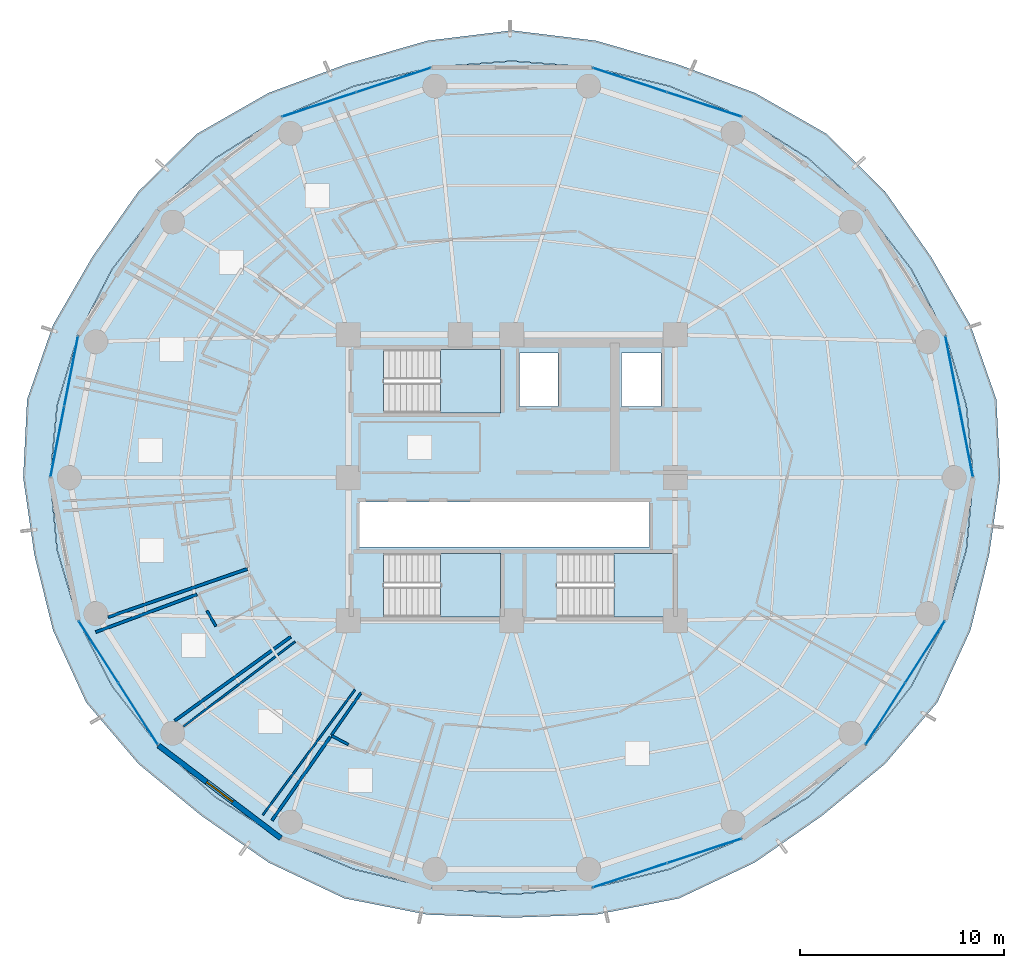
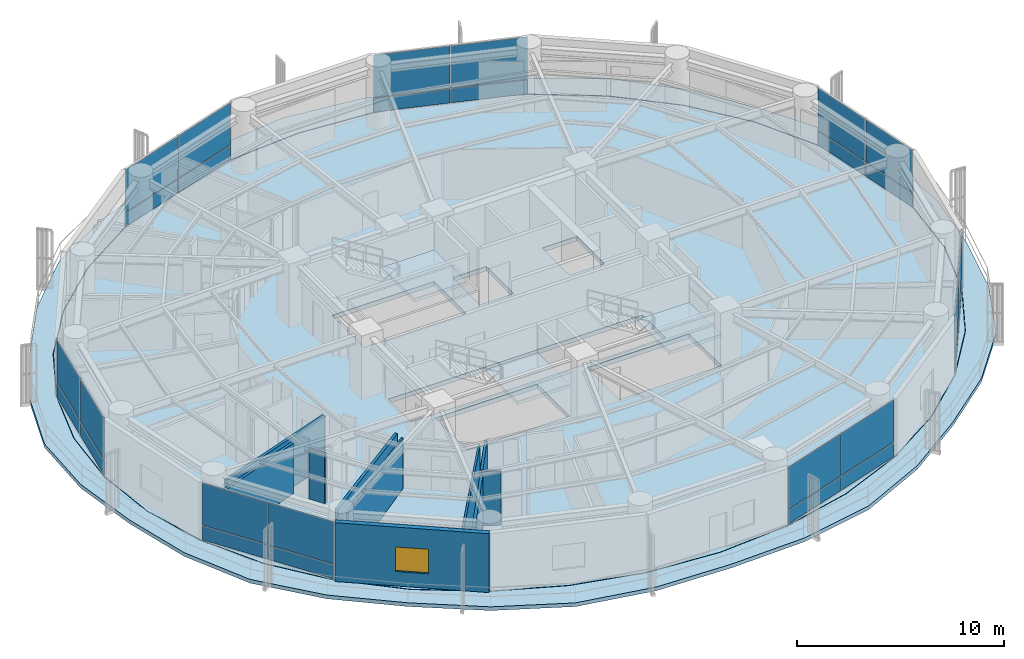
# One storey, part 20 of 28: 28 plates, 10 walls, 5 slabs, 1 window, 1 opening, 10 elements without a shape of their own.
"""IFC4 building model written with IfcOpenShell, lengths in metres."""

from ifc_helpers import new_model, si_unit, direction, frame, frame_2d, origin, origin_2d, place, context, subcontext, project, spatial, polyline, rectangle, outline, extrude, source, transform, mapped, material, layer, layer_set, type_object, element, fill, aggregate, save


model = new_model("IFC4")

# Units and contexts
model_context = context("Model", 3, precision=1e-05, world=origin(), true_north=direction((0.0, 1.0)))
body_context = subcontext(model_context, "Body", "Model", "MODEL_VIEW")
ifc_project = project(units=[si_unit("LENGTHUNIT", "METRE"), si_unit("AREAUNIT", "SQUARE_METRE"), si_unit("VOLUMEUNIT", "CUBIC_METRE"), si_unit("PLANEANGLEUNIT", "RADIAN"), si_unit("MASSUNIT", "GRAM", prefix="KILO")], contexts=[model_context])

# Site, building, storey
site_placement = place(None, origin())
site = spatial("IfcSite", under=ifc_project, at=site_placement, CompositionType="ELEMENT")
building_placement = place(site_placement, origin())
building = spatial("IfcBuilding", under=site, at=building_placement, Name="Kelanora Arch Commons", CompositionType="ELEMENT")
storey_placement = place(building_placement, frame((0.0, 0.0, 139.35009765625)))
storey = spatial("IfcBuildingStorey", under=building, at=storey_placement, Name="L35", CompositionType="ELEMENT", Elevation=139.35009765625)

# Stair, slab
ifc_material_1 = material(Name="Concrete C40/50", Category="concrete")
stair_type = type_object("IfcStairType", Name="STR-DL-375", PredefinedType="HALF_TURN_STAIR", material=ifc_material_1)
stair_1_placement = place(storey_placement, origin())
stair_1 = element("IfcStair", 1, at=stair_1_placement, inside=storey, type_object=stair_type, Name="L35 ST-T1", PredefinedType="HALF_TURN_STAIR")
ifc_layer_1 = layer(ifc_material_1, 0.199951171875)
ifc_layer_set_1 = layer_set([ifc_layer_1], Name="Concrete C40/50")
slab_type_1 = type_object("IfcSlabType", Name="SLB-STAIR-LND", PredefinedType="LANDING", material=ifc_layer_set_1)
slab_1_placement = place(storey_placement, frame((0.0, 0.0, 1.6748046875)))
slab_1 = element("IfcSlab", 2, at=slab_1_placement, type_object=slab_type_1, Name="ST-T1 landing 1", PredefinedType="LANDING", context=body_context, shape_type="SweptSolid", body=[
    extrude(outline(polyline([(70.52001953125, 61.179931640625), (73.43994140625, 61.179931640625), (73.43994140625, 64.2900390625), (70.52001953125, 64.2900390625), (70.52001953125, 61.179931640625)])), origin(), (0.0, 0.0, 1.0), 0.2001953125),
])
aggregate(stair_1, [slab_1])

stair_2_placement = place(storey_placement, origin())
stair_2 = element("IfcStair", 3, at=stair_2_placement, inside=storey, type_object=stair_type, Name="L35 ST-T2", PredefinedType="HALF_TURN_STAIR")
slab_2_placement = place(storey_placement, frame((0.0, 0.0, 1.6748046875)))
slab_2 = element("IfcSlab", 4, at=slab_2_placement, type_object=slab_type_1, Name="ST-T2 landing 1", PredefinedType="LANDING", context=body_context, shape_type="SweptSolid", body=[
    extrude(outline(polyline([(79.0, 51.179931640625), (81.919921875, 51.179931640625), (81.919921875, 54.2900390625), (79.0, 54.2900390625), (79.0, 51.179931640625)])), origin(), (0.0, 0.0, 1.0), 0.2001953125),
])
aggregate(stair_2, [slab_2])

stair_3_placement = place(storey_placement, origin())
stair_3 = element("IfcStair", 5, at=stair_3_placement, inside=storey, type_object=stair_type, Name="L35 ST-T3", PredefinedType="HALF_TURN_STAIR")
slab_3_placement = place(storey_placement, frame((0.0, 0.0, 1.6748046875)))
slab_3 = element("IfcSlab", 6, at=slab_3_placement, type_object=slab_type_1, Name="ST-T3 landing 1", PredefinedType="LANDING", context=body_context, shape_type="SweptSolid", body=[
    extrude(outline(polyline([(70.52001953125, 51.179931640625), (73.43994140625, 51.179931640625), (73.43994140625, 54.2900390625), (70.52001953125, 54.2900390625), (70.52001953125, 51.179931640625)])), origin(), (0.0, 0.0, 1.0), 0.2001953125),
])
aggregate(stair_3, [slab_3])

# Slabs
ifc_layer_2 = layer(ifc_material_1, 0.260009765625)
ifc_layer_set_2 = layer_set([ifc_layer_2], Name="Concrete C40/50")
slab_type_2 = type_object("IfcSlabType", Name="SLB-TWR-TYP", PredefinedType="FLOOR", material=ifc_layer_set_2)
slab_4_placement = place(storey_placement, frame((0.0, 0.0, -0.260009765625)))
element("IfcSlab", 7, at=slab_4_placement, inside=storey, type_object=slab_type_2, Name="Tower Floor Slab L35", PredefinedType="FLOOR", context=body_context, shape_type="SweptSolid", body=[
    extrude(outline(polyline([(96.60009765625, 58.0), (96.256591796875, 61.54248046875), (95.237060546875, 64.977294921875), (93.572265625, 68.199951171875), (91.3125, 71.11279296875), (88.527099609375, 73.627197265625), (85.300048828125, 75.6669921875), (81.729736328125, 77.169677734375), (77.92431640625, 78.090087890625), (74.0, 78.39990234375), (70.07568359375, 78.090087890625), (66.270263671875, 77.169677734375), (62.699951171875, 75.6669921875), (59.472900390625, 73.627197265625), (56.6875, 71.11279296875), (54.427734375, 68.199951171875), (52.762939453125, 64.977294921875), (51.743408203125, 61.54248046875), (51.39990234375, 58.0), (51.743408203125, 54.45751953125), (52.762939453125, 51.022705078125), (54.427734375, 47.800048828125), (56.6875, 44.88720703125), (59.472900390625, 42.372802734375), (62.699951171875, 40.3330078125), (66.270263671875, 38.830322265625), (70.07568359375, 37.909912109375), (74.0, 37.60009765625), (77.92431640625, 37.909912109375), (81.729736328125, 38.830322265625), (85.300048828125, 40.3330078125), (88.527099609375, 42.372802734375), (91.3125, 44.88720703125), (93.572265625, 47.800048828125), (95.237060546875, 51.022705078125), (96.256591796875, 54.45751953125), (96.60009765625, 58.0)]), holes=[polyline([(73.431884765625, 51.18798828125), (67.72802734375, 51.18798828125), (67.72802734375, 54.281982421875), (73.431884765625, 54.281982421875), (73.431884765625, 51.18798828125)]), polyline([(76.2080078125, 51.18798828125), (76.2080078125, 54.281982421875), (81.912109375, 54.281982421875), (81.912109375, 51.18798828125), (76.2080078125, 51.18798828125)]), polyline([(66.550048828125, 54.60009765625), (66.550048828125, 56.800048828125), (80.75, 56.800048828125), (80.75, 54.60009765625), (66.550048828125, 54.60009765625)]), polyline([(73.431884765625, 61.18798828125), (67.72802734375, 61.18798828125), (67.72802734375, 64.281982421875), (73.431884765625, 64.281982421875), (73.431884765625, 61.18798828125)]), polyline([(74.3798828125, 61.47998046875), (74.3798828125, 64.1201171875), (76.260009765625, 64.1201171875), (76.260009765625, 61.47998046875), (74.3798828125, 61.47998046875)]), polyline([(79.3798828125, 61.47998046875), (79.3798828125, 64.1201171875), (81.320068359375, 64.1201171875), (81.320068359375, 61.47998046875), (79.3798828125, 61.47998046875)])]), origin(), (0.0, 0.0, 1.0), 0.260009765625),
])
ifc_layer_3 = layer(ifc_material_1, 0.219970703125)
ifc_layer_set_3 = layer_set([ifc_layer_3], Name="Concrete C40/50")
slab_type_3 = type_object("IfcSlabType", Name="SLB-WAVE-BAL", PredefinedType="FLOOR", material=ifc_layer_set_3)
slab_5_placement = place(storey_placement, frame((0.0, 0.0, -0.22021484375)))
element("IfcSlab", 8, at=slab_5_placement, inside=storey, type_object=slab_type_3, Name="Sinusoidal Wave Balcony Slab L35", PredefinedType="FLOOR", context=body_context, shape_type="SweptSolid", body=[
    extrude(outline(polyline([(97.928955078125, 58.0), (97.73779296875, 61.831787109375), (96.469482421875, 65.47412109375), (94.5400390625, 68.819091796875), (92.285888671875, 72.017578125), (89.43798828125, 74.830078125), (85.914306640625, 76.845458984375), (82.08837890625, 78.26123046875), (78.13330078125, 79.402587890625), (74.0, 79.908935546875), (69.86669921875, 79.402587890625), (65.91162109375, 78.26123046875), (62.085693359375, 76.845458984375), (58.56201171875, 74.830078125), (55.714111328125, 72.017578125), (53.4599609375, 68.819091796875), (51.530517578125, 65.47412109375), (50.26220703125, 61.831787109375), (50.071044921875, 58.0), (50.61572265625, 54.2373046875), (51.530517578125, 50.52587890625), (53.156494140625, 46.98681640625), (55.714111328125, 43.982421875), (58.779296875, 41.456787109375), (62.085693359375, 39.154541015625), (65.79931640625, 37.396728515625), (69.86669921875, 36.597412109375), (74.0, 36.450927734375), (78.13330078125, 36.597412109375), (82.20068359375, 37.396728515625), (85.914306640625, 39.154541015625), (89.220703125, 41.456787109375), (92.285888671875, 43.982421875), (94.843505859375, 46.98681640625), (96.469482421875, 50.52587890625), (97.38427734375, 54.2373046875), (97.928955078125, 58.0)]), holes=[polyline([(96.2763671875, 54.4541015625), (95.255859375, 51.015869140625), (93.589599609375, 47.7900390625), (91.327880859375, 44.874267578125), (88.539794921875, 42.357421875), (85.31005859375, 40.31591796875), (81.736572265625, 38.8115234375), (77.927978515625, 37.89013671875), (74.0, 37.580078125), (70.072021484375, 37.89013671875), (66.263427734375, 38.8115234375), (62.68994140625, 40.31591796875), (59.460205078125, 42.357421875), (56.672119140625, 44.874267578125), (54.410400390625, 47.7900390625), (52.744140625, 51.015869140625), (51.7236328125, 54.4541015625), (51.3798828125, 58.0), (51.7236328125, 61.5458984375), (52.744140625, 64.984130859375), (54.410400390625, 68.2099609375), (56.672119140625, 71.125732421875), (59.460205078125, 73.642578125), (62.68994140625, 75.68408203125), (66.263427734375, 77.1884765625), (70.072021484375, 78.10986328125), (74.0, 78.419921875), (77.927978515625, 78.10986328125), (81.736572265625, 77.1884765625), (85.31005859375, 75.68408203125), (88.539794921875, 73.642578125), (91.327880859375, 71.125732421875), (93.589599609375, 68.2099609375), (95.255859375, 64.984130859375), (96.2763671875, 61.5458984375), (96.6201171875, 58.0), (96.2763671875, 54.4541015625)])]), origin(), (0.0, 0.0, 1.0), 0.22021484375),
])

# Curtain wall, plates
ifc_material_2 = material(Name="Terracotta ceramic-fritted low-E glass and aluminium", Category="masonry")
ifc_layer_4 = layer(ifc_material_2, 0.175048828125)
ifc_layer_set_4 = layer_set([ifc_layer_4], Name="Terracotta ceramic-fritted low-E glass and aluminium")
curtain_wall_type = type_object("IfcCurtainWallType", Name="CW-SYS-02", PredefinedType="NOTDEFINED", material=ifc_layer_set_4)
curtain_wall_1_placement = place(storey_placement, origin())
curtain_wall_1 = element("IfcCurtainWall", 9, at=curtain_wall_1_placement, inside=storey, type_object=curtain_wall_type, Name="Unitised Curtain Wall L35-B00", PredefinedType="NOTDEFINED")
ifc_material_3 = material(Name="Terracotta ceramic-fritted double glazing", Category="masonry")
ifc_layer_5 = layer(ifc_material_3, 0.028076171875)
ifc_layer_set_5 = layer_set([ifc_layer_5], Name="Terracotta ceramic-fritted double glazing")
plate_type = type_object("IfcPlateType", Name="CWP-FRIT", PredefinedType="CURTAIN_PANEL", material=ifc_layer_set_5)
shared_shape_1 = source(origin(), body_context, "Body", "SweptSolid", [
    extrude(rectangle(XDim=3.449462890625, YDim=0.028076171875, at=origin_2d()), origin(), (0.0, 0.0, 1.0), 0.81005859375),
])
plate_1_placement = place(storey_placement, frame((96.2548828125, 59.766357421875, 0.059814453125), z_axis=(0.0, 0.0, 1.0), x_axis=(-0.191705182375, 0.981452557718, 0.0)))
plate_1 = element("IfcPlate", 10, at=plate_1_placement, type_object=plate_type, Name="CW-02 panel 1.1", PredefinedType="CURTAIN_PANEL", context=body_context, shape_type="MappedRepresentation", body=[
    mapped(shared_shape_1, transform((0.0, 0.0, 0.0), scale=1.0)),
])
plate_2_placement = place(storey_placement, frame((95.58203125, 63.2109375, 0.059814453125), z_axis=(0.0, 0.0, 1.0), x_axis=(-0.191705182375, 0.981452557718, 0.0)))
plate_2 = element("IfcPlate", 11, at=plate_2_placement, type_object=plate_type, Name="CW-02 panel 2.1", PredefinedType="CURTAIN_PANEL", context=body_context, shape_type="MappedRepresentation", body=[
    mapped(shared_shape_1, transform((0.0, 0.0, 0.0), scale=1.0)),
])

curtain_wall_2_placement = place(storey_placement, origin())
curtain_wall_2 = element("IfcCurtainWall", 12, at=curtain_wall_2_placement, inside=storey, type_object=curtain_wall_type, Name="Unitised Curtain Wall L35-B08", PredefinedType="NOTDEFINED")
plate_3_placement = place(storey_placement, frame((52.41796875, 63.2109375, 0.059814453125), z_axis=(0.0, 0.0, 1.0), x_axis=(-0.191705182375, -0.981452557718, 0.0)))
plate_3 = element("IfcPlate", 13, at=plate_3_placement, type_object=plate_type, Name="CW-02 panel 1.1", PredefinedType="CURTAIN_PANEL", context=body_context, shape_type="MappedRepresentation", body=[
    mapped(shared_shape_1, transform((0.0, 0.0, 0.0), scale=1.0)),
])
plate_4_placement = place(storey_placement, frame((51.7451171875, 59.766357421875, 0.059814453125), z_axis=(0.0, 0.0, 1.0), x_axis=(-0.191705182375, -0.981452557718, 0.0)))
plate_4 = element("IfcPlate", 14, at=plate_4_placement, type_object=plate_type, Name="CW-02 panel 2.1", PredefinedType="CURTAIN_PANEL", context=body_context, shape_type="MappedRepresentation", body=[
    mapped(shared_shape_1, transform((0.0, 0.0, 0.0), scale=1.0)),
])

# Plate
shared_shape_2 = source(origin(), body_context, "Body", "SweptSolid", [
    extrude(rectangle(XDim=3.449462890625, YDim=0.028076171875, at=origin_2d()), origin(), (0.0, 0.0, 1.0), 2.485107421875),
])
plate_5_placement = place(storey_placement, frame((96.2548828125, 59.766357421875, 0.9296875), z_axis=(0.0, 0.0, 1.0), x_axis=(-0.191705182375, 0.981452557718, 0.0)))
plate_5 = element("IfcPlate", 15, at=plate_5_placement, type_object=plate_type, Name="CW-02 panel 1.2", PredefinedType="CURTAIN_PANEL", context=body_context, shape_type="MappedRepresentation", body=[
    mapped(shared_shape_2, transform((0.0, 0.0, 0.0), scale=1.0)),
])

plate_6_placement = place(storey_placement, frame((95.58203125, 63.2109375, 0.9296875), z_axis=(0.0, 0.0, 1.0), x_axis=(-0.191705182375, 0.981452557718, 0.0)))
plate_6 = element("IfcPlate", 16, at=plate_6_placement, type_object=plate_type, Name="CW-02 panel 2.2", PredefinedType="CURTAIN_PANEL", context=body_context, shape_type="MappedRepresentation", body=[
    mapped(shared_shape_2, transform((0.0, 0.0, 0.0), scale=1.0)),
])

aggregate(curtain_wall_1, [plate_1, plate_5, plate_2, plate_6])

plate_7_placement = place(storey_placement, frame((52.41796875, 63.2109375, 0.9296875), z_axis=(0.0, 0.0, 1.0), x_axis=(-0.191705182375, -0.981452557718, 0.0)))
plate_7 = element("IfcPlate", 17, at=plate_7_placement, type_object=plate_type, Name="CW-02 panel 1.2", PredefinedType="CURTAIN_PANEL", context=body_context, shape_type="MappedRepresentation", body=[
    mapped(shared_shape_2, transform((0.0, 0.0, 0.0), scale=1.0)),
])

plate_8_placement = place(storey_placement, frame((51.7451171875, 59.766357421875, 0.9296875), z_axis=(0.0, 0.0, 1.0), x_axis=(-0.191705182375, -0.981452557718, 0.0)))
plate_8 = element("IfcPlate", 18, at=plate_8_placement, type_object=plate_type, Name="CW-02 panel 2.2", PredefinedType="CURTAIN_PANEL", context=body_context, shape_type="MappedRepresentation", body=[
    mapped(shared_shape_2, transform((0.0, 0.0, 0.0), scale=1.0)),
])

aggregate(curtain_wall_2, [plate_3, plate_7, plate_4, plate_8])

# Curtain wall, plates
curtain_wall_3_placement = place(storey_placement, origin())
curtain_wall_3 = element("IfcCurtainWall", 19, at=curtain_wall_3_placement, inside=storey, type_object=curtain_wall_type, Name="Unitised Curtain Wall L35-B03", PredefinedType="NOTDEFINED")
shared_shape_3 = source(origin(), body_context, "Body", "SweptSolid", [
    extrude(rectangle(XDim=3.776611328125, YDim=0.028076171875, at=origin_2d()), origin(), (0.0, 0.0, 1.0), 0.81005859375),
])
plate_9_placement = place(storey_placement, frame((83.434814453125, 76.27978515625, 0.059814453125), z_axis=(0.0, 0.0, 1.0), x_axis=(-0.95003996605, 0.312128279571, 0.0)))
plate_9 = element("IfcPlate", 20, at=plate_9_placement, type_object=plate_type, Name="CW-02 panel 1.1", PredefinedType="CURTAIN_PANEL", context=body_context, shape_type="MappedRepresentation", body=[
    mapped(shared_shape_3, transform((0.0, 0.0, 0.0), scale=1.0)),
])
plate_10_placement = place(storey_placement, frame((79.789794921875, 77.477294921875, 0.059814453125), z_axis=(0.0, 0.0, 1.0), x_axis=(-0.95003996605, 0.312128279571, 0.0)))
plate_10 = element("IfcPlate", 21, at=plate_10_placement, type_object=plate_type, Name="CW-02 panel 2.1", PredefinedType="CURTAIN_PANEL", context=body_context, shape_type="MappedRepresentation", body=[
    mapped(shared_shape_3, transform((0.0, 0.0, 0.0), scale=1.0)),
])

curtain_wall_4_placement = place(storey_placement, origin())
curtain_wall_4 = element("IfcCurtainWall", 22, at=curtain_wall_4_placement, inside=storey, type_object=curtain_wall_type, Name="Unitised Curtain Wall L35-B05", PredefinedType="NOTDEFINED")
plate_11_placement = place(storey_placement, frame((68.210205078125, 77.477294921875, 0.059814453125), z_axis=(0.0, 0.0, 1.0), x_axis=(-0.95003996605, -0.312128279571, 0.0)))
plate_11 = element("IfcPlate", 23, at=plate_11_placement, type_object=plate_type, Name="CW-02 panel 1.1", PredefinedType="CURTAIN_PANEL", context=body_context, shape_type="MappedRepresentation", body=[
    mapped(shared_shape_3, transform((0.0, 0.0, 0.0), scale=1.0)),
])
plate_12_placement = place(storey_placement, frame((64.565185546875, 76.27978515625, 0.059814453125), z_axis=(0.0, 0.0, 1.0), x_axis=(-0.95003996605, -0.312128279571, 0.0)))
plate_12 = element("IfcPlate", 24, at=plate_12_placement, type_object=plate_type, Name="CW-02 panel 2.1", PredefinedType="CURTAIN_PANEL", context=body_context, shape_type="MappedRepresentation", body=[
    mapped(shared_shape_3, transform((0.0, 0.0, 0.0), scale=1.0)),
])

curtain_wall_5_placement = place(storey_placement, origin())
curtain_wall_5 = element("IfcCurtainWall", 25, at=curtain_wall_5_placement, inside=storey, type_object=curtain_wall_type, Name="Unitised Curtain Wall L35-B14", PredefinedType="NOTDEFINED")
plate_13_placement = place(storey_placement, frame((79.789794921875, 38.522705078125, 0.059814453125), z_axis=(0.0, 0.0, 1.0), x_axis=(0.95003996605, 0.312128279571, 0.0)))
plate_13 = element("IfcPlate", 26, at=plate_13_placement, type_object=plate_type, Name="CW-02 panel 1.1", PredefinedType="CURTAIN_PANEL", context=body_context, shape_type="MappedRepresentation", body=[
    mapped(shared_shape_3, transform((0.0, 0.0, 0.0), scale=1.0)),
])
plate_14_placement = place(storey_placement, frame((83.434814453125, 39.72021484375, 0.059814453125), z_axis=(0.0, 0.0, 1.0), x_axis=(0.95003996605, 0.312128279571, 0.0)))
plate_14 = element("IfcPlate", 27, at=plate_14_placement, type_object=plate_type, Name="CW-02 panel 2.1", PredefinedType="CURTAIN_PANEL", context=body_context, shape_type="MappedRepresentation", body=[
    mapped(shared_shape_3, transform((0.0, 0.0, 0.0), scale=1.0)),
])

# Plate
shared_shape_4 = source(origin(), body_context, "Body", "SweptSolid", [
    extrude(rectangle(XDim=3.776611328125, YDim=0.028076171875, at=origin_2d()), origin(), (0.0, 0.0, 1.0), 2.485107421875),
])
plate_15_placement = place(storey_placement, frame((83.434814453125, 76.27978515625, 0.9296875), z_axis=(0.0, 0.0, 1.0), x_axis=(-0.95003996605, 0.312128279571, 0.0)))
plate_15 = element("IfcPlate", 28, at=plate_15_placement, type_object=plate_type, Name="CW-02 panel 1.2", PredefinedType="CURTAIN_PANEL", context=body_context, shape_type="MappedRepresentation", body=[
    mapped(shared_shape_4, transform((0.0, 0.0, 0.0), scale=1.0)),
])

plate_16_placement = place(storey_placement, frame((79.789794921875, 77.477294921875, 0.9296875), z_axis=(0.0, 0.0, 1.0), x_axis=(-0.95003996605, 0.312128279571, 0.0)))
plate_16 = element("IfcPlate", 29, at=plate_16_placement, type_object=plate_type, Name="CW-02 panel 2.2", PredefinedType="CURTAIN_PANEL", context=body_context, shape_type="MappedRepresentation", body=[
    mapped(shared_shape_4, transform((0.0, 0.0, 0.0), scale=1.0)),
])

aggregate(curtain_wall_3, [plate_9, plate_15, plate_10, plate_16])

plate_17_placement = place(storey_placement, frame((68.210205078125, 77.477294921875, 0.9296875), z_axis=(0.0, 0.0, 1.0), x_axis=(-0.95003996605, -0.312128279571, 0.0)))
plate_17 = element("IfcPlate", 30, at=plate_17_placement, type_object=plate_type, Name="CW-02 panel 1.2", PredefinedType="CURTAIN_PANEL", context=body_context, shape_type="MappedRepresentation", body=[
    mapped(shared_shape_4, transform((0.0, 0.0, 0.0), scale=1.0)),
])

plate_18_placement = place(storey_placement, frame((64.565185546875, 76.27978515625, 0.9296875), z_axis=(0.0, 0.0, 1.0), x_axis=(-0.95003996605, -0.312128279571, 0.0)))
plate_18 = element("IfcPlate", 31, at=plate_18_placement, type_object=plate_type, Name="CW-02 panel 2.2", PredefinedType="CURTAIN_PANEL", context=body_context, shape_type="MappedRepresentation", body=[
    mapped(shared_shape_4, transform((0.0, 0.0, 0.0), scale=1.0)),
])

aggregate(curtain_wall_4, [plate_11, plate_17, plate_12, plate_18])

plate_19_placement = place(storey_placement, frame((79.789794921875, 38.522705078125, 0.9296875), z_axis=(0.0, 0.0, 1.0), x_axis=(0.95003996605, 0.312128279571, 0.0)))
plate_19 = element("IfcPlate", 32, at=plate_19_placement, type_object=plate_type, Name="CW-02 panel 1.2", PredefinedType="CURTAIN_PANEL", context=body_context, shape_type="MappedRepresentation", body=[
    mapped(shared_shape_4, transform((0.0, 0.0, 0.0), scale=1.0)),
])

plate_20_placement = place(storey_placement, frame((83.434814453125, 39.72021484375, 0.9296875), z_axis=(0.0, 0.0, 1.0), x_axis=(0.95003996605, 0.312128279571, 0.0)))
plate_20 = element("IfcPlate", 33, at=plate_20_placement, type_object=plate_type, Name="CW-02 panel 2.2", PredefinedType="CURTAIN_PANEL", context=body_context, shape_type="MappedRepresentation", body=[
    mapped(shared_shape_4, transform((0.0, 0.0, 0.0), scale=1.0)),
])

aggregate(curtain_wall_5, [plate_13, plate_19, plate_14, plate_20])

# Curtain wall, plates
curtain_wall_6_placement = place(storey_placement, origin())
curtain_wall_6 = element("IfcCurtainWall", 34, at=curtain_wall_6_placement, inside=storey, type_object=curtain_wall_type, Name="Unitised Curtain Wall L35-B10", PredefinedType="NOTDEFINED")
shared_shape_5 = source(origin(), body_context, "Body", "SweptSolid", [
    extrude(rectangle(XDim=3.53662109375, YDim=0.028076171875, at=origin_2d()), origin(), (0.0, 0.0, 1.0), 0.81005859375),
])
plate_21_placement = place(storey_placement, frame((53.756103515625, 49.469970703125, 0.059814453125), z_axis=(0.0, 0.0, 1.0), x_axis=(0.538816988983, -0.842422846546, 0.0)))
plate_21 = element("IfcPlate", 35, at=plate_21_placement, type_object=plate_type, Name="CW-02 panel 1.1", PredefinedType="CURTAIN_PANEL", context=body_context, shape_type="MappedRepresentation", body=[
    mapped(shared_shape_5, transform((0.0, 0.0, 0.0), scale=1.0)),
])
plate_22_placement = place(storey_placement, frame((55.694091796875, 46.43994140625, 0.059814453125), z_axis=(0.0, 0.0, 1.0), x_axis=(0.538816988983, -0.842422846546, 0.0)))
plate_22 = element("IfcPlate", 36, at=plate_22_placement, type_object=plate_type, Name="CW-02 panel 2.1", PredefinedType="CURTAIN_PANEL", context=body_context, shape_type="MappedRepresentation", body=[
    mapped(shared_shape_5, transform((0.0, 0.0, 0.0), scale=1.0)),
])

curtain_wall_7_placement = place(storey_placement, origin())
curtain_wall_7 = element("IfcCurtainWall", 37, at=curtain_wall_7_placement, inside=storey, type_object=curtain_wall_type, Name="Unitised Curtain Wall L35-B16", PredefinedType="NOTDEFINED")
plate_23_placement = place(storey_placement, frame((92.305908203125, 46.43994140625, 0.059814453125), z_axis=(0.0, 0.0, 1.0), x_axis=(0.538816988983, 0.842422846546, 0.0)))
plate_23 = element("IfcPlate", 38, at=plate_23_placement, type_object=plate_type, Name="CW-02 panel 1.1", PredefinedType="CURTAIN_PANEL", context=body_context, shape_type="MappedRepresentation", body=[
    mapped(shared_shape_5, transform((0.0, 0.0, 0.0), scale=1.0)),
])
plate_24_placement = place(storey_placement, frame((94.243896484375, 49.469970703125, 0.059814453125), z_axis=(0.0, 0.0, 1.0), x_axis=(0.538816988983, 0.842422846546, 0.0)))
plate_24 = element("IfcPlate", 39, at=plate_24_placement, type_object=plate_type, Name="CW-02 panel 2.1", PredefinedType="CURTAIN_PANEL", context=body_context, shape_type="MappedRepresentation", body=[
    mapped(shared_shape_5, transform((0.0, 0.0, 0.0), scale=1.0)),
])

# Plate
shared_shape_6 = source(origin(), body_context, "Body", "SweptSolid", [
    extrude(rectangle(XDim=3.53662109375, YDim=0.028076171875, at=origin_2d()), origin(), (0.0, 0.0, 1.0), 2.485107421875),
])
plate_25_placement = place(storey_placement, frame((53.756103515625, 49.469970703125, 0.9296875), z_axis=(0.0, 0.0, 1.0), x_axis=(0.538816988983, -0.842422846546, 0.0)))
plate_25 = element("IfcPlate", 40, at=plate_25_placement, type_object=plate_type, Name="CW-02 panel 1.2", PredefinedType="CURTAIN_PANEL", context=body_context, shape_type="MappedRepresentation", body=[
    mapped(shared_shape_6, transform((0.0, 0.0, 0.0), scale=1.0)),
])

plate_26_placement = place(storey_placement, frame((55.694091796875, 46.43994140625, 0.9296875), z_axis=(0.0, 0.0, 1.0), x_axis=(0.538816988983, -0.842422846546, 0.0)))
plate_26 = element("IfcPlate", 41, at=plate_26_placement, type_object=plate_type, Name="CW-02 panel 2.2", PredefinedType="CURTAIN_PANEL", context=body_context, shape_type="MappedRepresentation", body=[
    mapped(shared_shape_6, transform((0.0, 0.0, 0.0), scale=1.0)),
])

aggregate(curtain_wall_6, [plate_21, plate_25, plate_22, plate_26])

plate_27_placement = place(storey_placement, frame((92.305908203125, 46.43994140625, 0.9296875), z_axis=(0.0, 0.0, 1.0), x_axis=(0.538816988983, 0.842422846546, 0.0)))
plate_27 = element("IfcPlate", 42, at=plate_27_placement, type_object=plate_type, Name="CW-02 panel 1.2", PredefinedType="CURTAIN_PANEL", context=body_context, shape_type="MappedRepresentation", body=[
    mapped(shared_shape_6, transform((0.0, 0.0, 0.0), scale=1.0)),
])

plate_28_placement = place(storey_placement, frame((94.243896484375, 49.469970703125, 0.9296875), z_axis=(0.0, 0.0, 1.0), x_axis=(0.538816988983, 0.842422846546, 0.0)))
plate_28 = element("IfcPlate", 43, at=plate_28_placement, type_object=plate_type, Name="CW-02 panel 2.2", PredefinedType="CURTAIN_PANEL", context=body_context, shape_type="MappedRepresentation", body=[
    mapped(shared_shape_6, transform((0.0, 0.0, 0.0), scale=1.0)),
])

aggregate(curtain_wall_7, [plate_23, plate_27, plate_24, plate_28])

# Walls
ifc_material_4 = material(Name="Autoclaved aerated concrete blockwork with fire plaster", Category="masonry")
ifc_layer_6 = layer(ifc_material_4, 0.14990234375)
ifc_layer_set_6 = layer_set([ifc_layer_6], Name="Autoclaved aerated concrete blockwork with fire plaster")
wall_type_1 = type_object("IfcWallType", Name="W-COMP-150", PredefinedType="PARTITIONING", material=ifc_layer_set_6)
wall_1_placement = place(storey_placement, frame((61.05126953125, 53.531982421875, 0.0), z_axis=(0.0, 0.0, 1.0), x_axis=(-0.944870237137, -0.327445010608, 0.0)))
element("IfcWall", 44, at=wall_1_placement, inside=storey, type_object=wall_type_1, Name="Cluster Bedroom L35-05 Enclosure Partition 2", PredefinedType="PARTITIONING", context=body_context, shape_type="SweptSolid", body=[
    extrude(rectangle(XDim=7.22021484375, YDim=0.14990234375, at=frame_2d((3.610107421875, 0.0))), origin(), (0.0, 0.0, 1.0), 2.974853515625),
])
wall_2_placement = place(storey_placement, frame((63.174560546875, 50.20458984375, 0.0), z_axis=(0.0, 0.0, 1.0), x_axis=(-0.810227225477, -0.586115895618, 0.0)))
element("IfcWall", 45, at=wall_2_placement, inside=storey, type_object=wall_type_1, Name="Cluster Bedroom L35-06 Enclosure Partition 2", PredefinedType="PARTITIONING", context=body_context, shape_type="SweptSolid", body=[
    extrude(rectangle(XDim=7.01123046875, YDim=0.14990234375, at=frame_2d((3.505615234375, 0.0))), origin(), (0.0, 0.0, 1.0), 3.1748046875),
])
wall_3_placement = place(storey_placement, frame((53.62353515625, 50.43798828125, 0.0), z_axis=(0.0, 0.0, 1.0), x_axis=(0.937175901168, 0.348857177468, 0.0)))
element("IfcWall", 46, at=wall_3_placement, inside=storey, type_object=wall_type_1, Name="Cluster Bedroom L35-06 Enclosure Partition 5", PredefinedType="PARTITIONING", context=body_context, shape_type="SweptSolid", body=[
    extrude(rectangle(XDim=5.29150390625, YDim=0.14990234375, at=frame_2d((2.645751953125, 0.0))), origin(), (0.0, 0.0, 1.0), 2.974853515625),
])
wall_4_placement = place(storey_placement, frame((62.2568359375, 41.210693359375, 0.0), z_axis=(0.0, 0.0, 1.0), x_axis=(0.572125752908, 0.820165911789, 0.0)))
element("IfcWall", 47, at=wall_4_placement, inside=storey, type_object=wall_type_1, Name="Cluster Bedroom L35-08 Enclosure Partition 5", PredefinedType="PARTITIONING", context=body_context, shape_type="SweptSolid", body=[
    extrude(rectangle(XDim=4.9921875, YDim=0.14990234375, at=frame_2d((2.49609375, 0.0))), origin(), (0.0, 0.0, 1.0), 2.974853515625),
])

# Wall, opening, window
ifc_material_5 = material(Name="Precast concrete C40/50 with terracotta rainscreen", Category="masonry")
ifc_layer_7 = layer(ifc_material_5, 0.260009765625)
ifc_layer_set_7 = layer_set([ifc_layer_7], Name="Precast concrete C40/50 with terracotta rainscreen")
wall_type_2 = type_object("IfcWallType", Name="W-EXT-TC", PredefinedType="SOLIDWALL", material=ifc_layer_set_7)
wall_5_placement = place(storey_placement, frame((56.699462890625, 44.8779296875, 0.0), z_axis=(0.0, 0.0, 1.0), x_axis=(0.797163719609, -0.603763202042, 0.0)))
wall_5 = element("IfcWall", 48, at=wall_5_placement, inside=storey, type_object=wall_type_2, Name="Terracotta Exterior Wall L35-B11", PredefinedType="SOLIDWALL", context=body_context, shape_type="SweptSolid", body=[
    extrude(rectangle(XDim=7.51220703125, YDim=0.260009765625, at=frame_2d((3.756103515625, 0.0))), origin(), (0.0, 0.0, 1.0), 3.474853515625),
])
opening_placement = place(wall_5_placement, frame((2.9560546875, 0.0, 0.85009765625)))
opening = element("IfcOpeningElement", 49, at=opening_placement, cuts=wall_5, Name="Opening WN-01", PredefinedType="OPENING", context=body_context, shape_type="SweptSolid", body=[
    extrude(rectangle(XDim=1.60009765625, YDim=1.449951171875, at=frame_2d((0.800048828125, 0.72509765625))), frame((0.0, 0.14013671875, 0.0), z_axis=(0.0, -1.0, 0.0), x_axis=(1.0, 0.0, 0.0)), (0.0, 0.0, 1.0), 0.280029296875),
])
ifc_material_6 = material(Name="Terracotta-anodised aluminium frame with operable low-E glazing", Category="masonry")
window_type = type_object("IfcWindowType", Name="WIN-CL-18", PartitioningType="DOUBLE_PANEL_VERTICAL", PredefinedType="WINDOW", material=ifc_material_6)
window_placement = place(opening_placement, origin())
window = element("IfcWindow", 50, at=window_placement, inside=storey, type_object=window_type, Name="Co-Living Operable Window L35-B11", OverallHeight=1.449951171875, OverallWidth=1.60009765625, PartitioningType="SINGLE_PANEL", PredefinedType="WINDOW", context=body_context, shape_type="SweptSolid", body=[
    extrude(rectangle(XDim=1.60009765625, YDim=1.449951171875, at=frame_2d((0.800048828125, 0.72509765625))), frame((0.0, 0.030029296875, 0.0), z_axis=(0.0, -1.0, 0.0), x_axis=(1.0, 0.0, 0.0)), (0.0, 0.0, 1.0), 0.06005859375),
])
fill(opening, window)

# Walls
ifc_material_7 = material(Name="Lightweight fire-rated acoustic stud partition")
ifc_layer_8 = layer(ifc_material_7, 0.10009765625)
ifc_layer_set_8 = layer_set([ifc_layer_8], Name="Lightweight fire-rated acoustic stud partition")
wall_type_3 = type_object("IfcWallType", Name="W-PART-100", PredefinedType="PARTITIONING", material=ifc_layer_set_8)
wall_6_placement = place(storey_placement, frame((66.3232421875, 47.61474609375, 0.0), z_axis=(0.0, 0.0, 1.0), x_axis=(-0.592678959784, -0.805438793845, 0.0)))
element("IfcWall", 51, at=wall_6_placement, inside=storey, type_object=wall_type_3, Name="Social Sky Lounge L35-07 Enclosure Partition 2", PredefinedType="PARTITIONING", context=body_context, shape_type="SweptSolid", body=[
    extrude(rectangle(XDim=7.6240234375, YDim=0.10009765625, at=frame_2d((3.81201171875, 0.0))), origin(), (0.0, 0.0, 1.0), 2.974853515625),
])
wall_7_placement = place(storey_placement, frame((57.92138671875, 45.811279296875, 0.0), z_axis=(0.0, 0.0, 1.0), x_axis=(0.79595600815, 0.60535446896, 0.0)))
element("IfcWall", 52, at=wall_7_placement, inside=storey, type_object=wall_type_3, Name="Social Sky Lounge L35-07 Enclosure Partition 4", PredefinedType="PARTITIONING", context=body_context, shape_type="SweptSolid", body=[
    extrude(rectangle(XDim=6.869384765625, YDim=0.10009765625, at=frame_2d((3.4345703125, 0.0))), origin(), (0.0, 0.0, 1.0), 2.974853515625),
])
ifc_material_8 = material(Name="Moisture-resistant fire-rated cement-board plumbing wall")
ifc_layer_9 = layer(ifc_material_8, 0.1298828125)
ifc_layer_set_9 = layer_set([ifc_layer_9], Name="Moisture-resistant fire-rated cement-board plumbing wall")
wall_type_4 = type_object("IfcWallType", Name="W-WET-120", PredefinedType="PLUMBINGWALL", material=ifc_layer_set_9)
wall_8_placement = place(storey_placement, frame((59.513916015625, 50.72021484375, 0.0), z_axis=(0.0, 0.0, 1.0), x_axis=(-0.501222652689, 0.865318353227, 0.0)))
element("IfcWall", 53, at=wall_8_placement, inside=storey, type_object=wall_type_4, Name="En-Suite Shower WC L35-06 Enclosure Partition 4", PredefinedType="PLUMBINGWALL", context=body_context, shape_type="SweptSolid", body=[
    extrude(rectangle(XDim=0.877685546875, YDim=0.1298828125, at=frame_2d((0.43896484375, 0.0))), origin(), (0.0, 0.0, 1.0), 2.974853515625),
])
wall_9_placement = place(storey_placement, frame((65.996337890625, 44.927490234375, 0.0), z_axis=(0.0, 0.0, 1.0), x_axis=(-0.88373041627, 0.46799631554, 0.0)))
element("IfcWall", 54, at=wall_9_placement, inside=storey, type_object=wall_type_4, Name="En-Suite Shower WC L35-08 Enclosure Partition 5", PredefinedType="PLUMBINGWALL", context=body_context, shape_type="SweptSolid", body=[
    extrude(rectangle(XDim=0.9296875, YDim=0.1298828125, at=frame_2d((0.46484375, 0.0))), origin(), (0.0, 0.0, 1.0), 3.1748046875),
])
wall_10_placement = place(storey_placement, frame((65.16845703125, 45.388427734375, 0.0), z_axis=(0.0, 0.0, 1.0), x_axis=(0.572452908282, 0.819937599943, 0.0)))
element("IfcWall", 55, at=wall_10_placement, inside=storey, type_object=wall_type_4, Name="En-Suite Shower WC L35-08 Enclosure Partition 6", PredefinedType="PLUMBINGWALL", context=body_context, shape_type="SweptSolid", body=[
    extrude(rectangle(XDim=2.533203125, YDim=0.1298828125, at=frame_2d((1.2666015625, 0.0))), origin(), (0.0, 0.0, 1.0), 3.23486328125),
])

save(model, "model.ifc")
